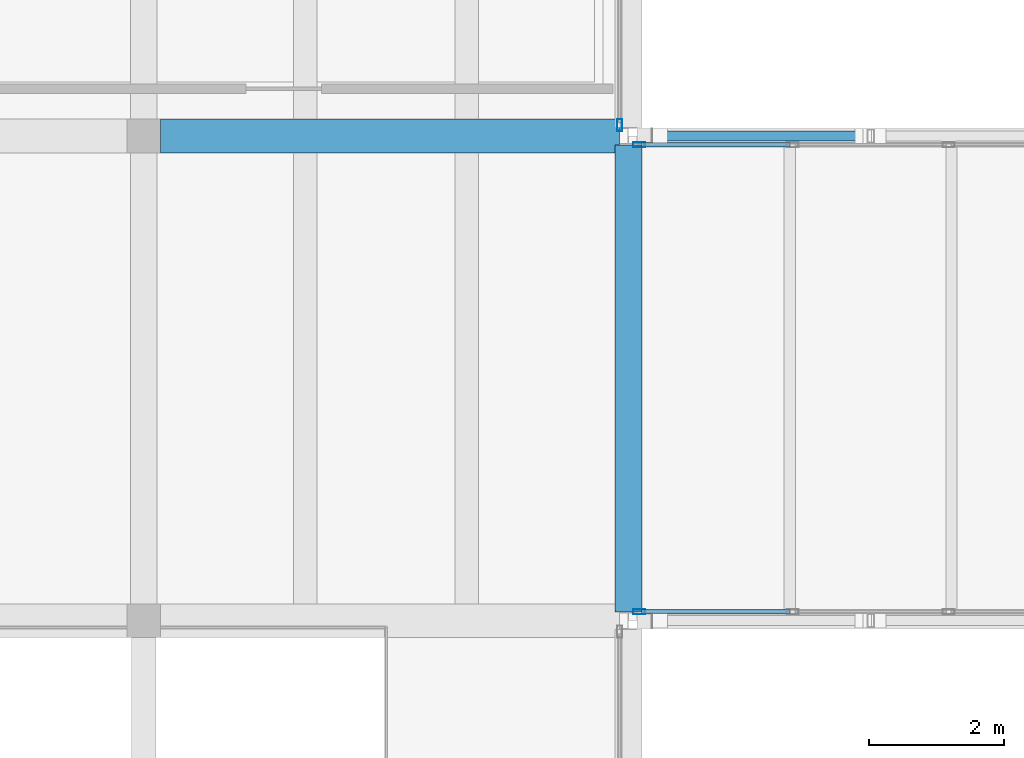
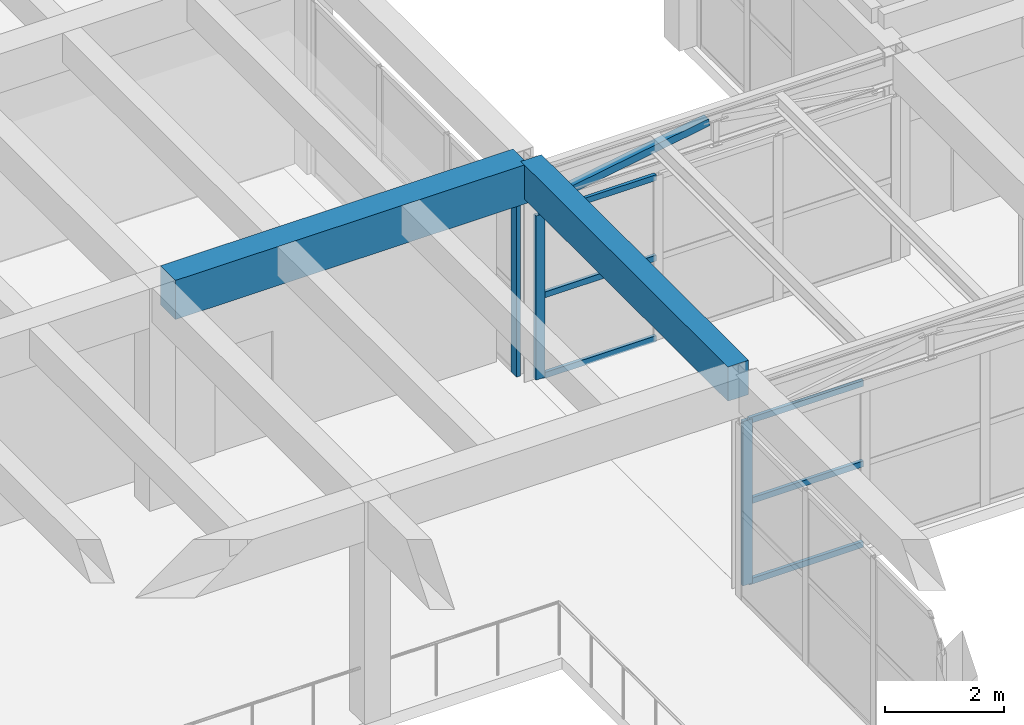
# One storey, part 44 of 153: 10 members, 2 beams, 3 elements without a shape of their own.
"""IFC4 building model written with IfcOpenShell, lengths in metres."""

from ifc_helpers import new_model, si_unit, direction, frame, origin, origin_2d, place, context, subcontext, project, spatial, rectangle, hollow_rectangle, extrude, material, material_profile, profile_set, type_object, element, aggregate, save


model = new_model("IFC4")

# Units and contexts
model_context = context("Model", 3, precision=1e-05, world=origin(), true_north=direction((0.0, 1.0)))
body_context = subcontext(model_context, "Body", "Model", "MODEL_VIEW")
ifc_project = project(units=[si_unit("LENGTHUNIT", "METRE"), si_unit("AREAUNIT", "SQUARE_METRE"), si_unit("VOLUMEUNIT", "CUBIC_METRE"), si_unit("PLANEANGLEUNIT", "RADIAN"), si_unit("MASSUNIT", "GRAM", prefix="KILO")], contexts=[model_context])

# Site, building, storey
site_placement = place(None, origin())
site = spatial("IfcSite", under=ifc_project, at=site_placement, CompositionType="ELEMENT")
building_placement = place(site_placement, origin())
building = spatial("IfcBuilding", under=site, at=building_placement, Name="Bramvelor Terrace Health Centre", CompositionType="ELEMENT")
storey_placement = place(building_placement, frame((0.0, 0.0, 4.800048828125)))
storey = spatial("IfcBuildingStorey", under=building, at=storey_placement, Name="L02", CompositionType="ELEMENT", Elevation=4.800048828125)

# Beams
ifc_material_1 = material(Name="Concrete C40/50", Category="concrete")
ifc_material_profile_1 = material_profile(ifc_material_1, rectangle(XDim=0.39990234375, YDim=0.699951171875, at=origin_2d()), Name="RC 400x700")
ifc_profile_set_1 = profile_set([ifc_material_profile_1], Name="Concrete C40/50")
beam_type_1 = type_object("IfcBeamType", Name="BM-RC-G700", PredefinedType="BEAM", material=ifc_profile_set_1)
beam_1_placement = place(storey_placement, frame((93.60009765625, 50.530029296875, 4.199951171875), z_axis=(0.0, 1.0, 0.0), x_axis=(-1.0, 0.0, 0.0)))
element("IfcBeam", 1, at=beam_1_placement, inside=storey, type_object=beam_type_1, Name="L02 Floor Girder", PredefinedType="BEAM", context=body_context, shape_type="SweptSolid", body=[
    extrude(rectangle(XDim=0.39990234375, YDim=0.699951171875, at=origin_2d()), origin(), (0.0, 0.0, 1.0), 6.93994140625),
])
ifc_material_2 = material(Name="Concrete C40/50", Category="concrete")
ifc_material_profile_2 = material_profile(ifc_material_2, rectangle(XDim=0.5, YDim=0.800048828125, at=origin_2d()), Name="RC 500x800")
ifc_profile_set_2 = profile_set([ifc_material_profile_2], Name="Concrete C40/50")
beam_type_2 = type_object("IfcBeamType", Name="BM-RC-G800", PredefinedType="BEAM", material=ifc_profile_set_2)
beam_2_placement = place(storey_placement, frame((86.64990234375, 57.60009765625, 4.14990234375), z_axis=(1.0, 0.0, 0.0), x_axis=(0.0, 1.0, 0.0)))
element("IfcBeam", 2, at=beam_2_placement, inside=storey, type_object=beam_type_2, Name="L02 Floor Girder", PredefinedType="BEAM", context=body_context, shape_type="SweptSolid", body=[
    extrude(rectangle(XDim=0.5, YDim=0.800048828125, at=origin_2d()), origin(), (0.0, 0.0, 1.0), 6.822021484375),
])

# Curtain wall, member
ifc_material_3 = material(Name="Anodized aluminium and double low-E glass", Category="aluminium")
curtain_wall_type_1 = type_object("IfcCurtainWallType", Name="CW-SYS-01", PredefinedType="NOTDEFINED", material=ifc_material_3)
curtain_wall_1_placement = place(storey_placement, origin())
curtain_wall_1 = element("IfcCurtainWall", 3, at=curtain_wall_1_placement, inside=storey, type_object=curtain_wall_type_1, Name="L02 Unitized Curtain Wall 98", PredefinedType="NOTDEFINED")
ifc_material_4 = material(Name="Anodized aluminium 6063-T6", Category="aluminium")
ifc_material_profile_3 = material_profile(ifc_material_4, hollow_rectangle(XDim=0.074951171875, YDim=0.179931640625, WallThickness=0.00341796875, at=origin_2d()), Name="ALU-MUL 75x180x3.5")
ifc_profile_set_3 = profile_set([ifc_material_profile_3], Name="Anodized aluminium 6063-T6")
member_type_1 = type_object("IfcMemberType", Name="CW-MUL-65x180", PredefinedType="MULLION", material=ifc_profile_set_3)
member_1_placement = place(storey_placement, frame((93.469970703125, 57.7626953125, 0.0), z_axis=(0.0, 0.0, 1.0), x_axis=(1.0, 0.0, 0.0)))
member_1 = element("IfcMember", 4, at=member_1_placement, type_object=member_type_1, Name="CW-01 mullion 4", PredefinedType="MULLION", context=body_context, shape_type="SweptSolid", body=[
    extrude(hollow_rectangle(XDim=0.074951171875, YDim=0.179931640625, WallThickness=0.00341796875, at=origin_2d()), origin(), (0.0, 0.0, 1.0), 3.5478515625),
])
aggregate(curtain_wall_1, [member_1])

ifc_material_5 = material(Name="Anodized aluminium and double low-E glass", Category="aluminium")
curtain_wall_type_2 = type_object("IfcCurtainWallType", Name="CW-SYS-18", PredefinedType="NOTDEFINED", material=ifc_material_5)
curtain_wall_2_placement = place(storey_placement, origin())
curtain_wall_2 = element("IfcCurtainWall", 5, at=curtain_wall_2_placement, inside=storey, type_object=curtain_wall_type_2, Name="L02 Unitized Curtain Wall 99", PredefinedType="NOTDEFINED")
member_2_placement = place(storey_placement, frame((93.760498046875, 57.469970703125, 0.0), z_axis=(0.0, 0.0, 1.0), x_axis=(0.0, 1.0, 0.0)))
member_2 = element("IfcMember", 6, at=member_2_placement, type_object=member_type_1, Name="CW-18 mullion 1", PredefinedType="MULLION", context=body_context, shape_type="SweptSolid", body=[
    extrude(hollow_rectangle(XDim=0.074951171875, YDim=0.179931640625, WallThickness=0.00341796875, at=origin_2d()), origin(), (0.0, 0.0, 1.0), 3.35986328125),
])

curtain_wall_3_placement = place(storey_placement, origin())
curtain_wall_3 = element("IfcCurtainWall", 7, at=curtain_wall_3_placement, inside=storey, type_object=curtain_wall_type_2, Name="L02 Unitized Curtain Wall 114", PredefinedType="NOTDEFINED")
member_3_placement = place(storey_placement, frame((93.760498046875, 50.530029296875, 0.0), z_axis=(0.0, 0.0, 1.0), x_axis=(0.0, -1.0, 0.0)))
member_3 = element("IfcMember", 8, at=member_3_placement, type_object=member_type_1, Name="CW-18 mullion 4", PredefinedType="MULLION", context=body_context, shape_type="SweptSolid", body=[
    extrude(hollow_rectangle(XDim=0.074951171875, YDim=0.179931640625, WallThickness=0.00341796875, at=origin_2d()), origin(), (0.0, 0.0, 1.0), 3.35986328125),
])

# Member
ifc_material_6 = material(Name="Anodized aluminium 6063-T6", Category="aluminium")
ifc_material_profile_4 = material_profile(ifc_material_6, hollow_rectangle(XDim=0.06494140625, YDim=0.1201171875, WallThickness=0.0029296875, at=origin_2d()), Name="ALU-TRN 65x120x3.0")
ifc_profile_set_4 = profile_set([ifc_material_profile_4], Name="Anodized aluminium 6063-T6")
member_type_2 = type_object("IfcMemberType", Name="CW-TRN-65x150", PredefinedType="USERDEFINED", material=ifc_profile_set_4)
member_4_placement = place(storey_placement, frame((93.798095703125, 57.469970703125, 0.032470703125), z_axis=(1.0, 0.0, 0.0), x_axis=(0.0, 1.0, 0.0)))
member_4 = element("IfcMember", 9, at=member_4_placement, type_object=member_type_2, Name="CW-18 transom 1.1", ObjectType="TRANSOM", PredefinedType="USERDEFINED", context=body_context, shape_type="SweptSolid", body=[
    extrude(hollow_rectangle(XDim=0.06494140625, YDim=0.1201171875, WallThickness=0.0029296875, at=origin_2d()), origin(), (0.0, 0.0, 1.0), 2.205322265625),
])

member_5_placement = place(storey_placement, frame((93.798095703125, 57.469970703125, 1.679931640625), z_axis=(1.0, 0.0, 0.0), x_axis=(0.0, 1.0, 0.0)))
member_5 = element("IfcMember", 10, at=member_5_placement, type_object=member_type_2, Name="CW-18 transom 1.2", ObjectType="TRANSOM", PredefinedType="USERDEFINED", context=body_context, shape_type="SweptSolid", body=[
    extrude(hollow_rectangle(XDim=0.06494140625, YDim=0.1201171875, WallThickness=0.0029296875, at=origin_2d()), origin(), (0.0, 0.0, 1.0), 2.205322265625),
])

member_6_placement = place(storey_placement, frame((93.798095703125, 57.469970703125, 3.327392578125), z_axis=(1.0, 0.0, 0.0), x_axis=(0.0, 1.0, 0.0)))
member_6 = element("IfcMember", 11, at=member_6_placement, type_object=member_type_2, Name="CW-18 transom 1.3", ObjectType="TRANSOM", PredefinedType="USERDEFINED", context=body_context, shape_type="SweptSolid", body=[
    extrude(hollow_rectangle(XDim=0.06494140625, YDim=0.1201171875, WallThickness=0.0029296875, at=origin_2d()), origin(), (0.0, 0.0, 1.0), 2.205322265625),
])

aggregate(curtain_wall_2, [member_2, member_4, member_5, member_6])

member_7_placement = place(storey_placement, frame((96.00341796875, 50.530029296875, 0.032470703125), z_axis=(-1.0, 0.0, 0.0), x_axis=(0.0, -1.0, 0.0)))
member_7 = element("IfcMember", 12, at=member_7_placement, type_object=member_type_2, Name="CW-18 transom 3.1", ObjectType="TRANSOM", PredefinedType="USERDEFINED", context=body_context, shape_type="SweptSolid", body=[
    extrude(hollow_rectangle(XDim=0.06494140625, YDim=0.1201171875, WallThickness=0.0029296875, at=origin_2d()), origin(), (0.0, 0.0, 1.0), 2.205322265625),
])

member_8_placement = place(storey_placement, frame((96.00341796875, 50.530029296875, 1.679931640625), z_axis=(-1.0, 0.0, 0.0), x_axis=(0.0, -1.0, 0.0)))
member_8 = element("IfcMember", 13, at=member_8_placement, type_object=member_type_2, Name="CW-18 transom 3.2", ObjectType="TRANSOM", PredefinedType="USERDEFINED", context=body_context, shape_type="SweptSolid", body=[
    extrude(hollow_rectangle(XDim=0.06494140625, YDim=0.1201171875, WallThickness=0.0029296875, at=origin_2d()), origin(), (0.0, 0.0, 1.0), 2.205322265625),
])

member_9_placement = place(storey_placement, frame((96.00341796875, 50.530029296875, 3.327392578125), z_axis=(-1.0, 0.0, 0.0), x_axis=(0.0, -1.0, 0.0)))
member_9 = element("IfcMember", 14, at=member_9_placement, type_object=member_type_2, Name="CW-18 transom 3.3", ObjectType="TRANSOM", PredefinedType="USERDEFINED", context=body_context, shape_type="SweptSolid", body=[
    extrude(hollow_rectangle(XDim=0.06494140625, YDim=0.1201171875, WallThickness=0.0029296875, at=origin_2d()), origin(), (0.0, 0.0, 1.0), 2.205322265625),
])

aggregate(curtain_wall_3, [member_3, member_7, member_8, member_9])

ifc_material_7 = material(Name="Steel S355J2", Category="steel")
ifc_material_profile_5 = material_profile(ifc_material_7, hollow_rectangle(XDim=0.14990234375, YDim=0.14990234375, WallThickness=0.00634765625, at=origin_2d()), Name="SHS 150x150x6.3")
ifc_profile_set_5 = profile_set([ifc_material_profile_5], Name="Steel S355J2")
member_type_3 = type_object("IfcMemberType", Name="MEM-STL-SHS150", PredefinedType="BRACE", material=ifc_profile_set_5)
member_10_placement = place(storey_placement, frame((94.070068359375, 57.60009765625, 3.52001953125), z_axis=(0.985947265653, 0.0, 0.167056844671), x_axis=(0.0, 1.0, 0.0)))
element("IfcMember", 15, at=member_10_placement, inside=storey, type_object=member_type_3, Name="BR3 Bridge Truss Web Diagonal 0", PredefinedType="BRACE", context=body_context, shape_type="SweptSolid", body=[
    extrude(hollow_rectangle(XDim=0.14990234375, YDim=0.14990234375, WallThickness=0.00634765625, at=origin_2d()), origin(), (0.0, 0.0, 1.0), 3.052978515625),
])

save(model, "model.ifc")
